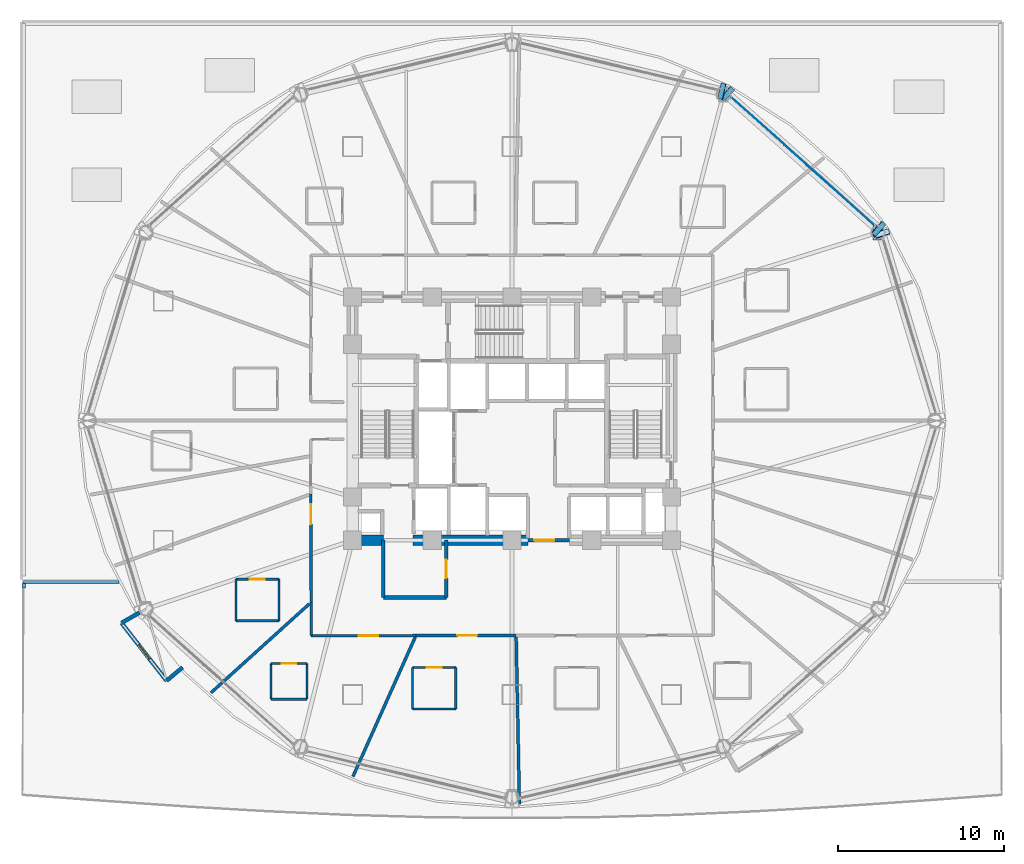
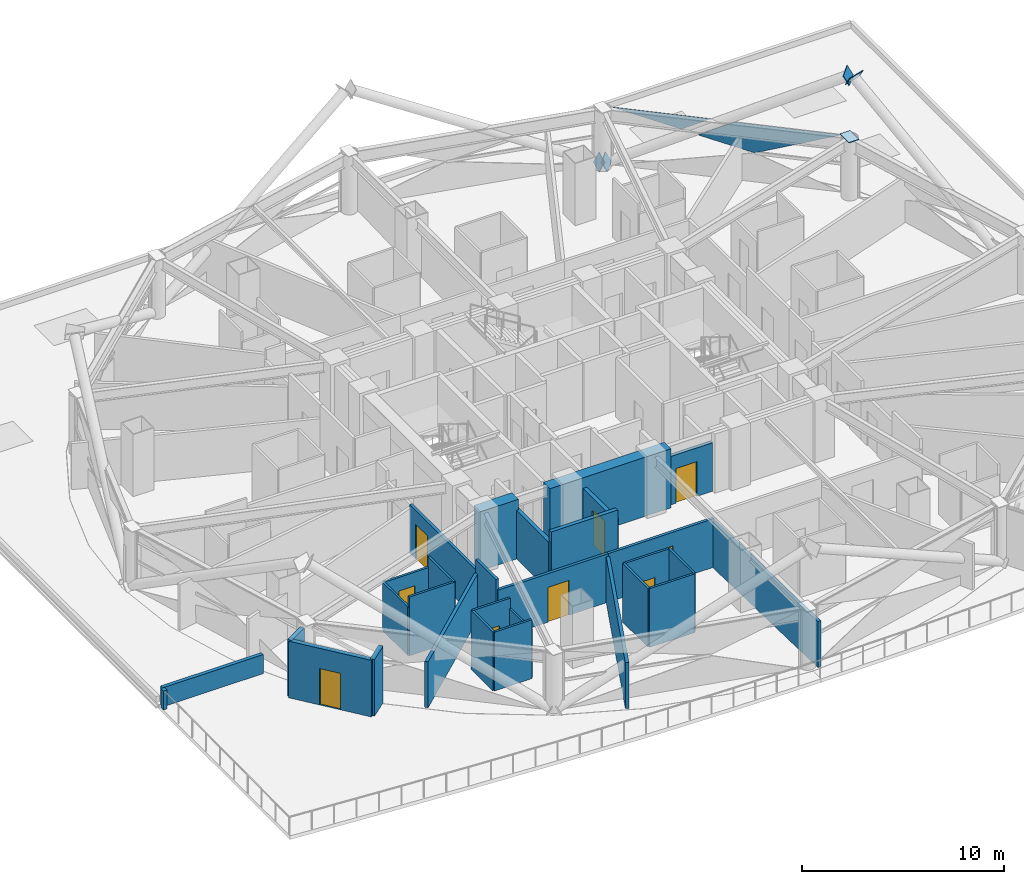
# One storey, part 19 of 27: 30 walls, 9 doors, 7 plates, 9 openings, 1 element without a shape of its own.
"""IFC4 building model written with IfcOpenShell, lengths in metres."""

from ifc_helpers import new_model, si_unit, direction, frame, frame_2d, origin, place, context, subcontext, project, spatial, polyline, rectangle, outline, extrude, material, layer, layer_set, type_object, element, fill, aggregate, save


model = new_model("IFC4")

# Units and contexts
model_context = context("Model", 3, precision=1e-05, world=origin(), true_north=direction((0.0, 1.0)))
body_context = subcontext(model_context, "Body", "Model", "MODEL_VIEW")
ifc_project = project(units=[si_unit("LENGTHUNIT", "METRE"), si_unit("AREAUNIT", "SQUARE_METRE"), si_unit("VOLUMEUNIT", "CUBIC_METRE"), si_unit("PLANEANGLEUNIT", "RADIAN"), si_unit("MASSUNIT", "GRAM", prefix="KILO")], contexts=[model_context])

# Site, building, storey
site_placement = place(None, origin())
site = spatial("IfcSite", under=ifc_project, at=site_placement, CompositionType="ELEMENT")
building_placement = place(site_placement, origin())
building = spatial("IfcBuilding", under=site, at=building_placement, Name="Vantalir Tower", CompositionType="ELEMENT")
storey_placement = place(building_placement, frame((0.0, 0.0, 27.0)))
storey = spatial("IfcBuildingStorey", under=building, at=storey_placement, Name="L05", CompositionType="ELEMENT", Elevation=27.0)

# Curtain wall, plates
ifc_material_1 = material(Name="Champagne-silver PVDF aluminium and double-silver Low-E glass", Category="aluminium")
ifc_layer_1 = layer(ifc_material_1, 0.18994140625)
ifc_layer_set_1 = layer_set([ifc_layer_1], Name="Champagne-silver PVDF aluminium and double-silver Low-E glass")
curtain_wall_type = type_object("IfcCurtainWallType", Name="CW-DIAMOND-Z1", PredefinedType="USERDEFINED", material=ifc_layer_set_1)
curtain_wall_placement = place(storey_placement, origin())
curtain_wall = element("IfcCurtainWall", 1, at=curtain_wall_placement, inside=storey, type_object=curtain_wall_type, Name="L05 Quilted Pyramid-Diamond Curtain Wall S02", ObjectType="UNITISED CURTAIN WALL", PredefinedType="USERDEFINED")
ifc_material_2 = material(Name="Double-silver Low-E laminated glass IGU", Category="glass")
ifc_layer_2 = layer(ifc_material_2, 0.028076171875)
ifc_layer_set_2 = layer_set([ifc_layer_2], Name="Double-silver Low-E laminated glass IGU")
plate_type_1 = type_object("IfcPlateType", Name="CWP-IGU-28", PredefinedType="CURTAIN_PANEL", material=ifc_layer_set_2)
plate_1_placement = place(storey_placement, frame((53.343017578125, 36.749755859375, 3.5234375), z_axis=(0.665300054197, 0.746451395068, 0.013643778309), x_axis=(-0.746520882122, 0.665361986107, 4.2522e-08)))
plate_1 = element("IfcPlate", 2, at=plate_1_placement, type_object=plate_type_1, Name="CW-L05-S02 Pyramid Diamond Facet 2U", PredefinedType="CURTAIN_PANEL", context=body_context, shape_type="SweptSolid", body=[
    extrude(outline(polyline([(0.0, 0.0), (5.444511912943742, 0.0), (7.270924794630395, -1.039892024901801), (4.410488309346775, -1.7269673439427227), (0.0, 0.0)])), origin(), (0.0, 0.0, -1.0), 0.028076171875),
])
plate_2_placement = place(storey_placement, frame((48.409912109375, 41.189453125, 3.52392578125), z_axis=(0.665314594483, 0.746437516961, 0.013693927117), x_axis=(-0.74650796131, 0.665376480862, 4.9170594e-05)))
plate_2 = element("IfcPlate", 3, at=plate_2_placement, type_object=plate_type_1, Name="CW-L05-S02 Pyramid Diamond Facet 2U Infill Light", PredefinedType="CURTAIN_PANEL", context=body_context, shape_type="SweptSolid", body=[
    extrude(outline(polyline([(0.0, 0.0), (4.96517540448994, -2.0599841277224584e-18), (1.4727353693832141, -0.8387741118368344), (0.0, 0.0)])), origin(), (0.0, 0.0, -1.0), 0.028076171875),
])
aggregate(curtain_wall, [plate_1, plate_2])

# Plates
ifc_material_3 = material(Name="Steel S460", Category="steel")
ifc_layer_3 = layer(ifc_material_3, 0.0400390625)
ifc_layer_set_3 = layer_set([ifc_layer_3], Name="Steel S460")
plate_type_2 = type_object("IfcPlateType", Name="PLT-KN-Z1", PredefinedType="USERDEFINED", material=ifc_layer_set_3)
plate_3_placement = place(storey_placement, frame((54.160400390625, 36.56201171875, 6.87744140625), z_axis=(-0.246831821712, 0.821266771081, 0.51438792998), x_axis=(-0.957683979349, -0.287821811947, -1.6312792e-05)))
element("IfcPlate", 4, at=plate_3_placement, inside=storey, type_object=plate_type_2, Name="Node Cap Plate MEM-DG-L05-R01L End", ObjectType="FLANGE_PLATE", PredefinedType="USERDEFINED", context=body_context, shape_type="SweptSolid", body=[
    extrude(outline(polyline([(0.0, 0.0), (0.9501095264682091, 0.0), (0.9498611615437194, 0.620079361363619), (-1.4555359219141373e-05, 0.6200432191104704), (0.0, 0.0)])), origin(), (0.0, 0.0, -1.0), 0.0400390625),
])
plate_4_placement = place(storey_placement, frame((44.091552734375, 45.3349609375, -0.08349609375), z_axis=(-0.854627438222, 0.204117094889, 0.477439162), x_axis=(-0.232303709897, -0.972643298629, 0.0)))
element("IfcPlate", 5, at=plate_4_placement, inside=storey, type_object=plate_type_2, Name="Node Cap Plate MEM-DG-L05-R07L Start", ObjectType="FLANGE_PLATE", PredefinedType="USERDEFINED", context=body_context, shape_type="SweptSolid", body=[
    extrude(outline(polyline([(0.0, 0.0), (0.9500628513325243, 0.0), (0.9501603455328829, 0.6198925105355855), (9.749420035846945e-05, 0.6198925105355855), (0.0, 0.0)])), origin(), (0.0, 0.0, -1.0), 0.0400390625),
])
plate_5_placement = place(storey_placement, frame((44.266357421875, 44.20361328125, -0.07666015625), z_axis=(0.648679774777, -0.578217227371, 0.494852895078), x_axis=(0.665415735381, 0.746472971886, -3.6773048e-05)))
element("IfcPlate", 6, at=plate_5_placement, inside=storey, type_object=plate_type_2, Name="Node Cap Plate MEM-DG-L05-R07R Start", ObjectType="FLANGE_PLATE", PredefinedType="USERDEFINED", context=body_context, shape_type="SweptSolid", body=[
    extrude(outline(polyline([(0.0, 0.0), (0.94983370343164, 5.551115123125783e-17), (0.9499696310599176, 0.6201009243701173), (-4.631674962413417e-05, 0.6200205272126428), (0.0, 0.0)])), origin(), (0.0, 0.0, -1.0), 0.0400390625),
])
plate_6_placement = place(storey_placement, frame((53.381591796875, 36.0791015625, 6.877685546875), z_axis=(0.648699267764, -0.578135078913, 0.494923317831), x_axis=(0.665336277327, 0.746543795147, 0.0)))
element("IfcPlate", 7, at=plate_6_placement, inside=storey, type_object=plate_type_2, Name="Node Cap Plate MEM-DG-L05-R07R End", ObjectType="FLANGE_PLATE", PredefinedType="USERDEFINED", context=body_context, shape_type="SweptSolid", body=[
    extrude(outline(polyline([(0.0, 0.0), (0.9500159538334854, 0.0), (0.9500221024199006, 0.6198083784179331), (6.148586415233304e-06, 0.6198083784179331), (0.0, 0.0)])), origin(), (0.0, 0.0, -1.0), 0.0400390625),
])
ifc_layer_4 = layer(ifc_material_3, 0.035888671875)
ifc_layer_set_4 = layer_set([ifc_layer_4], Name="Steel S460")
plate_type_3 = type_object("IfcPlateType", Name="PLT-KN-Z2", PredefinedType="USERDEFINED", material=ifc_layer_set_4)
plate_7_placement = place(storey_placement, frame((53.25, 36.77197265625, 3.597900390625), z_axis=(0.0, 0.0, 1.0), x_axis=(0.0, -1.0, 0.0)))
element("IfcPlate", 8, at=plate_7_placement, inside=storey, type_object=plate_type_3, Name="L05 Ring Column Top Cap RC02", ObjectType="FLANGE_PLATE", PredefinedType="USERDEFINED", context=body_context, shape_type="SweptSolid", body=[
    extrude(outline(polyline([(0.0, 0.0), (0.8798828125, 0.0), (0.8798828125, 0.580078125), (0.0, 0.580078125), (0.0, 0.0)])), origin(), (0.0, 0.0, -1.0), 0.035888671875),
])

# Wall
ifc_material_4 = material(Name="Moisture-resistant en-suite partition", Category="gypsum")
ifc_layer_5 = layer(ifc_material_4, 0.125)
ifc_layer_set_5 = layer_set([ifc_layer_5], Name="Moisture-resistant en-suite partition")
wall_type_1 = type_object("IfcWallType", Name="WL-BATH-125", PredefinedType="PARTITIONING", material=ifc_layer_set_5)
wall_1_placement = place(storey_placement, frame((14.87109375, 12.950927734375, 0.0), z_axis=(0.0, 0.0, 1.0), x_axis=(1.0, 0.0, 0.0)))
element("IfcWall", 9, at=wall_1_placement, inside=storey, type_object=wall_type_1, Name="L05 En-suite 12 South Wall", PredefinedType="PARTITIONING", context=body_context, shape_type="SweptSolid", body=[
    extrude(rectangle(XDim=2.599853515625, YDim=0.125, at=frame_2d((1.2998046875, 0.0))), origin(), (0.0, 0.0, 1.0), 3.550048828125),
])

# Wall, opening, door
wall_2_placement = place(storey_placement, frame((14.87109375, 15.450927734375, 0.0), z_axis=(0.0, 0.0, 1.0), x_axis=(1.0, 0.0, 0.0)))
wall_2 = element("IfcWall", 10, at=wall_2_placement, inside=storey, type_object=wall_type_1, Name="L05 En-suite 12 North Wall", PredefinedType="PARTITIONING", context=body_context, shape_type="SweptSolid", body=[
    extrude(rectangle(XDim=2.599853515625, YDim=0.125, at=frame_2d((1.2998046875, 0.0))), origin(), (0.0, 0.0, 1.0), 2.928955078125),
])
opening_1_placement = place(wall_2_placement, frame((0.85009765625, 0.0, 0.0)))
opening_1 = element("IfcOpeningElement", 11, at=opening_1_placement, cuts=wall_2, Name="Opening D-WC", PredefinedType="OPENING", context=body_context, shape_type="SweptSolid", body=[
    extrude(rectangle(XDim=0.89990234375, YDim=2.10009765625, at=frame_2d((0.449951171875, 1.050048828125))), frame((0.0, 0.072509765625, 0.0), z_axis=(0.0, -1.0, 0.0), x_axis=(1.0, 0.0, 0.0)), (0.0, 0.0, 1.0), 0.14501953125),
])
ifc_material_5 = material(Name="Moisture-resistant hardwood door", Category="wood")
door_type_1 = type_object("IfcDoorType", Name="DR-ENSUITE-900", OperationType="NOTDEFINED", PredefinedType="DOOR", material=ifc_material_5)
door_1_placement = place(opening_1_placement, frame((0.89990234375, 0.0, 0.0), z_axis=(0.0, 0.0, 1.0), x_axis=(-1.0, 0.0, 0.0)))
door_1 = element("IfcDoor", 12, at=door_1_placement, inside=storey, type_object=door_type_1, Name="L05 En-suite 12 Door", OperationType="SINGLE_SWING_RIGHT", OverallHeight=2.10009765625, OverallWidth=0.89990234375, PredefinedType="DOOR", context=body_context, shape_type="SweptSolid", body=[
    extrude(rectangle(XDim=0.89990234375, YDim=2.10009765625, at=frame_2d((0.449951171875, 1.050048828125))), frame((0.0, 0.02490234375, 0.0), z_axis=(0.0, -1.0, 0.0), x_axis=(1.0, 0.0, 0.0)), (0.0, 0.0, 1.0), 0.050048828125),
])
fill(opening_1, door_1)

# Walls
wall_3_placement = place(storey_placement, frame((14.87109375, 12.950927734375, 0.0), z_axis=(0.0, 0.0, 1.0), x_axis=(0.0, 1.0, 0.0)))
element("IfcWall", 13, at=wall_3_placement, inside=storey, type_object=wall_type_1, Name="L05 En-suite 12 West Wall", PredefinedType="PARTITIONING", context=body_context, shape_type="SweptSolid", body=[
    extrude(rectangle(XDim=2.5, YDim=0.125, at=frame_2d((1.25, 0.0))), origin(), (0.0, 0.0, 1.0), 2.928955078125),
])
wall_4_placement = place(storey_placement, frame((17.470947265625, 12.950927734375, 0.0), z_axis=(0.0, 0.0, 1.0), x_axis=(0.0, 1.0, 0.0)))
element("IfcWall", 14, at=wall_4_placement, inside=storey, type_object=wall_type_1, Name="L05 En-suite 12 East Wall", PredefinedType="PARTITIONING", context=body_context, shape_type="SweptSolid", body=[
    extrude(rectangle(XDim=2.5, YDim=0.125, at=frame_2d((1.25, 0.0))), origin(), (0.0, 0.0, 1.0), 3.550048828125),
])
wall_5_placement = place(storey_placement, frame((16.998046875, 8.22509765625, 0.0), z_axis=(0.0, 0.0, 1.0), x_axis=(1.0, 0.0, 0.0)))
element("IfcWall", 15, at=wall_5_placement, inside=storey, type_object=wall_type_1, Name="L05 En-suite 13 South Wall", PredefinedType="PARTITIONING", context=body_context, shape_type="SweptSolid", body=[
    extrude(rectangle(XDim=2.14990234375, YDim=0.125, at=frame_2d((1.074951171875, 0.0))), origin(), (0.0, 0.0, 1.0), 3.550048828125),
])

# Wall, opening, door
wall_6_placement = place(storey_placement, frame((16.998046875, 10.375, 0.0), z_axis=(0.0, 0.0, 1.0), x_axis=(1.0, 0.0, 0.0)))
wall_6 = element("IfcWall", 16, at=wall_6_placement, inside=storey, type_object=wall_type_1, Name="L05 En-suite 13 North Wall", PredefinedType="PARTITIONING", context=body_context, shape_type="SweptSolid", body=[
    extrude(rectangle(XDim=2.14990234375, YDim=0.125, at=frame_2d((1.074951171875, 0.0))), origin(), (0.0, 0.0, 1.0), 3.550048828125),
])
opening_2_placement = place(wall_6_placement, frame((0.625, 0.0, 0.0)))
opening_2 = element("IfcOpeningElement", 17, at=opening_2_placement, cuts=wall_6, Name="Opening D-WC", PredefinedType="OPENING", context=body_context, shape_type="SweptSolid", body=[
    extrude(rectangle(XDim=0.89990234375, YDim=2.10009765625, at=frame_2d((0.449951171875, 1.050048828125))), frame((0.0, 0.072509765625, 0.0), z_axis=(0.0, -1.0, 0.0), x_axis=(1.0, 0.0, 0.0)), (0.0, 0.0, 1.0), 0.14501953125),
])
door_2_placement = place(opening_2_placement, frame((0.89990234375, 0.0, 0.0), z_axis=(0.0, 0.0, 1.0), x_axis=(-1.0, 0.0, 0.0)))
door_2 = element("IfcDoor", 18, at=door_2_placement, inside=storey, type_object=door_type_1, Name="L05 En-suite 13 Door", OperationType="SINGLE_SWING_LEFT", OverallHeight=2.10009765625, OverallWidth=0.89990234375, PredefinedType="DOOR", context=body_context, shape_type="SweptSolid", body=[
    extrude(rectangle(XDim=0.89990234375, YDim=2.10009765625, at=frame_2d((0.449951171875, 1.050048828125))), frame((0.0, 0.02490234375, 0.0), z_axis=(0.0, -1.0, 0.0), x_axis=(1.0, 0.0, 0.0)), (0.0, 0.0, 1.0), 0.050048828125),
])
fill(opening_2, door_2)

# Walls
wall_7_placement = place(storey_placement, frame((16.998046875, 8.22509765625, 0.0), z_axis=(0.0, 0.0, 1.0), x_axis=(0.0, 1.0, 0.0)))
element("IfcWall", 19, at=wall_7_placement, inside=storey, type_object=wall_type_1, Name="L05 En-suite 13 West Wall", PredefinedType="PARTITIONING", context=body_context, shape_type="SweptSolid", body=[
    extrude(rectangle(XDim=2.14990234375, YDim=0.125, at=frame_2d((1.074951171875, 0.0))), origin(), (0.0, 0.0, 1.0), 3.550048828125),
])
wall_8_placement = place(storey_placement, frame((19.14794921875, 8.22509765625, 0.0), z_axis=(0.0, 0.0, 1.0), x_axis=(0.0, 1.0, 0.0)))
element("IfcWall", 20, at=wall_8_placement, inside=storey, type_object=wall_type_1, Name="L05 En-suite 13 East Wall", PredefinedType="PARTITIONING", context=body_context, shape_type="SweptSolid", body=[
    extrude(rectangle(XDim=2.14990234375, YDim=0.125, at=frame_2d((1.074951171875, 0.0))), origin(), (0.0, 0.0, 1.0), 2.928955078125),
])
wall_9_placement = place(storey_placement, frame((25.514892578125, 7.635009765625, 0.0), z_axis=(0.0, 0.0, 1.0), x_axis=(1.0, 0.0, 0.0)))
element("IfcWall", 21, at=wall_9_placement, inside=storey, type_object=wall_type_1, Name="L05 En-suite 14 South Wall", PredefinedType="PARTITIONING", context=body_context, shape_type="SweptSolid", body=[
    extrude(rectangle(XDim=2.60009765625, YDim=0.125, at=frame_2d((1.300048828125, 0.0))), origin(), (0.0, 0.0, 1.0), 3.550048828125),
])

# Wall, opening, door
wall_10_placement = place(storey_placement, frame((25.514892578125, 10.135009765625, 0.0), z_axis=(0.0, 0.0, 1.0), x_axis=(1.0, 0.0, 0.0)))
wall_10 = element("IfcWall", 22, at=wall_10_placement, inside=storey, type_object=wall_type_1, Name="L05 En-suite 14 North Wall", PredefinedType="PARTITIONING", context=body_context, shape_type="SweptSolid", body=[
    extrude(rectangle(XDim=2.60009765625, YDim=0.125, at=frame_2d((1.300048828125, 0.0))), origin(), (0.0, 0.0, 1.0), 3.550048828125),
])
opening_3_placement = place(wall_10_placement, frame((0.85009765625, 0.0, 0.0)))
opening_3 = element("IfcOpeningElement", 23, at=opening_3_placement, cuts=wall_10, Name="Opening D-WC", PredefinedType="OPENING", context=body_context, shape_type="SweptSolid", body=[
    extrude(rectangle(XDim=0.89990234375, YDim=2.10009765625, at=frame_2d((0.449951171875, 1.050048828125))), frame((0.0, 0.072509765625, 0.0), z_axis=(0.0, -1.0, 0.0), x_axis=(1.0, 0.0, 0.0)), (0.0, 0.0, 1.0), 0.14501953125),
])
door_3_placement = place(opening_3_placement, frame((0.89990234375, 0.0, 0.0), z_axis=(0.0, 0.0, 1.0), x_axis=(-1.0, 0.0, 0.0)))
door_3 = element("IfcDoor", 24, at=door_3_placement, inside=storey, type_object=door_type_1, Name="L05 En-suite 14 Door", OperationType="SINGLE_SWING_RIGHT", OverallHeight=2.10009765625, OverallWidth=0.89990234375, PredefinedType="DOOR", context=body_context, shape_type="SweptSolid", body=[
    extrude(rectangle(XDim=0.89990234375, YDim=2.10009765625, at=frame_2d((0.449951171875, 1.050048828125))), frame((0.0, 0.02490234375, 0.0), z_axis=(0.0, -1.0, 0.0), x_axis=(1.0, 0.0, 0.0)), (0.0, 0.0, 1.0), 0.050048828125),
])
fill(opening_3, door_3)

# Walls
for number, where, z_axis, x_axis, name in (
    (25, (25.514892578125, 7.635009765625, 0.0), (0.0, 0.0, 1.0), (0.0, 1.0, 0.0), "L05 En-suite 14 West Wall"),
    (26, (28.114990234375, 7.635009765625, 0.0), (0.0, 0.0, 1.0), (0.0, 1.0, 0.0), "L05 En-suite 14 East Wall"),
):
    element("IfcWall", number, at=place(storey_placement, frame(where, z_axis=z_axis, x_axis=x_axis)), inside=storey, type_object=wall_type_1, Name=name, PredefinedType="PARTITIONING", context=body_context, shape_type="SweptSolid", body=[
        extrude(rectangle(XDim=2.5, YDim=0.125, at=frame_2d((1.25, 0.0))), origin(), (0.0, 0.0, 1.0), 3.550048828125),
    ])
ifc_material_6 = material(Name="Concrete C60/75", Category="concrete")
ifc_layer_6 = layer(ifc_material_6, 0.64990234375)
ifc_layer_set_6 = layer_set([ifc_layer_6], Name="Concrete C60/75")
wall_type_2 = type_object("IfcWallType", Name="WL-CORE-650", PredefinedType="SHEAR", material=ifc_layer_set_6)
wall_11_placement = place(storey_placement, frame((21.574951171875, 17.800048828125, 0.0), z_axis=(0.0, 0.0, 1.0), x_axis=(1.0, 0.0, 0.0)))
element("IfcWall", 27, at=wall_11_placement, inside=storey, type_object=wall_type_2, Name="L05 Core Shear Wall South-West", PredefinedType="SHEAR", context=body_context, shape_type="SweptSolid", body=[
    extrude(rectangle(XDim=2.175048828125, YDim=0.64990234375, at=frame_2d((1.08740234375, 0.0))), origin(), (0.0, 0.0, 1.0), 3.570068359375),
])
wall_12_placement = place(storey_placement, frame((25.550048828125, 17.800048828125, 0.0), z_axis=(0.0, 0.0, 1.0), x_axis=(1.0, 0.0, 0.0)))
element("IfcWall", 28, at=wall_12_placement, inside=storey, type_object=wall_type_2, Name="L05 Core Shear Wall South-Mid", PredefinedType="SHEAR", context=body_context, shape_type="SweptSolid", body=[
    extrude(rectangle(XDim=6.89990234375, YDim=0.64990234375, at=frame_2d((3.449951171875, 0.0))), origin(), (0.0, 0.0, 1.0), 3.570068359375),
])

# Wall, opening, door
ifc_material_7 = material(Name="Fire-rated hotel corridor acoustic partition", Category="gypsum")
ifc_layer_7 = layer(ifc_material_7, 0.159912109375)
ifc_layer_set_7 = layer_set([ifc_layer_7], Name="Fire-rated hotel corridor acoustic partition")
wall_type_3 = type_object("IfcWallType", Name="WL-CORR-160", PredefinedType="PARTITIONING", material=ifc_layer_set_7)
wall_13_placement = place(storey_placement, frame((31.75, 12.06298828125, 0.0), z_axis=(0.0, 0.0, 1.0), x_axis=(-0.99999979045, -0.000647379998, 0.0)))
wall_13 = element("IfcWall", 29, at=wall_13_placement, inside=storey, type_object=wall_type_3, Name="L05 Corridor Partition 19", PredefinedType="PARTITIONING", context=body_context, shape_type="SweptSolid", body=[
    extrude(rectangle(XDim=6.033935546875, YDim=0.159912109375, at=frame_2d((3.01708984375, 0.0))), origin(), (0.0, 0.0, 1.0), 2.928955078125),
])
opening_4_placement = place(wall_13_placement, frame((2.343994140625, 0.0, 0.0)))
opening_4 = element("IfcOpeningElement", 30, at=opening_4_placement, cuts=wall_13, Name="Opening D-STE", PredefinedType="OPENING", context=body_context, shape_type="SweptSolid", body=[
    extrude(rectangle(XDim=1.199951171875, YDim=2.10009765625, at=frame_2d((0.60009765625, 1.050048828125))), frame((0.0, 0.08984375, 0.0), z_axis=(0.0, -1.0, 0.0), x_axis=(1.0, 0.0, 0.0)), (0.0, 0.0, 1.0), 0.179931640625),
])
ifc_material_8 = material(Name="Solid-core teak veneer suite entrance door", Category="wood")
door_type_2 = type_object("IfcDoorType", Name="DR-SUITE-ENTRY-1200", OperationType="NOTDEFINED", PredefinedType="DOOR", material=ifc_material_8)
door_4_placement = place(opening_4_placement, origin())
door_4 = element("IfcDoor", 31, at=door_4_placement, inside=storey, type_object=door_type_2, Name="L05 Executive Club Hotel Suite 14 Door", OperationType="SINGLE_SWING_RIGHT", OverallHeight=2.10009765625, OverallWidth=1.199951171875, PredefinedType="DOOR", context=body_context, shape_type="SweptSolid", body=[
    extrude(rectangle(XDim=1.199951171875, YDim=2.10009765625, at=frame_2d((0.60009765625, 1.050048828125))), frame((0.0, 0.02490234375, 0.0), z_axis=(0.0, -1.0, 0.0), x_axis=(1.0, 0.0, 0.0)), (0.0, 0.0, 1.0), 0.050048828125),
])
fill(opening_4, door_4)

wall_14_placement = place(storey_placement, frame((25.716064453125, 12.05908203125, 0.0), z_axis=(0.0, 0.0, 1.0), x_axis=(-0.999999783688, -0.000657741868, 0.0)))
wall_14 = element("IfcWall", 32, at=wall_14_placement, inside=storey, type_object=wall_type_3, Name="L05 Corridor Partition 20", PredefinedType="PARTITIONING", context=body_context, shape_type="SweptSolid", body=[
    extrude(rectangle(XDim=6.31005859375, YDim=0.159912109375, at=frame_2d((3.155029296875, 0.0))), origin(), (0.0, 0.0, 1.0), 2.928955078125),
])
opening_5_placement = place(wall_14_placement, frame((2.256103515625, 0.0, 0.0)))
opening_5 = element("IfcOpeningElement", 33, at=opening_5_placement, cuts=wall_14, Name="Opening D-STE", PredefinedType="OPENING", context=body_context, shape_type="SweptSolid", body=[
    extrude(rectangle(XDim=1.199951171875, YDim=2.10009765625, at=frame_2d((0.60009765625, 1.050048828125))), frame((0.0, 0.08984375, 0.0), z_axis=(0.0, -1.0, 0.0), x_axis=(1.0, 0.0, 0.0)), (0.0, 0.0, 1.0), 0.179931640625),
])
door_5_placement = place(opening_5_placement, origin())
door_5 = element("IfcDoor", 34, at=door_5_placement, inside=storey, type_object=door_type_2, Name="L05 Corner Panorama Hotel Suite 13 Door", OperationType="SINGLE_SWING_LEFT", OverallHeight=2.10009765625, OverallWidth=1.199951171875, PredefinedType="DOOR", context=body_context, shape_type="SweptSolid", body=[
    extrude(rectangle(XDim=1.199951171875, YDim=2.10009765625, at=frame_2d((0.60009765625, 1.050048828125))), frame((0.0, 0.02490234375, 0.0), z_axis=(0.0, -1.0, 0.0), x_axis=(1.0, 0.0, 0.0)), (0.0, 0.0, 1.0), 0.050048828125),
])
fill(opening_5, door_5)

# Wall
wall_15_placement = place(storey_placement, frame((19.406005859375, 12.054931640625, 0.0), z_axis=(0.0, 0.0, 1.0), x_axis=(-0.00145754734, 0.999998937777, 0.0)))
element("IfcWall", 35, at=wall_15_placement, inside=storey, type_object=wall_type_3, Name="L05 Corridor Partition 21", PredefinedType="PARTITIONING", context=body_context, shape_type="SweptSolid", body=[
    extrude(rectangle(XDim=2.010009765625, YDim=0.159912109375, at=frame_2d((1.0048828125, 0.0))), origin(), (0.0, 0.0, 1.0), 3.550048828125),
])

# Wall, opening, door
wall_16_placement = place(storey_placement, frame((19.403076171875, 14.06494140625, 0.0), z_axis=(0.0, 0.0, 1.0), x_axis=(-0.001836785146, 0.999998313109, 0.0)))
wall_16 = element("IfcWall", 36, at=wall_16_placement, inside=storey, type_object=wall_type_3, Name="L05 Corridor Partition 22", PredefinedType="PARTITIONING", context=body_context, shape_type="SweptSolid", body=[
    extrude(rectangle(XDim=6.512939453125, YDim=0.159912109375, at=frame_2d((3.25634765625, 0.0))), origin(), (0.0, 0.0, 1.0), 2.928955078125),
])
opening_6_placement = place(wall_16_placement, frame((4.7119140625, 0.0, 0.0)))
opening_6 = element("IfcOpeningElement", 37, at=opening_6_placement, cuts=wall_16, Name="Opening D-STE", PredefinedType="OPENING", context=body_context, shape_type="SweptSolid", body=[
    extrude(rectangle(XDim=1.199951171875, YDim=2.10009765625, at=frame_2d((0.60009765625, 1.050048828125))), frame((0.0, 0.08984375, 0.0), z_axis=(0.0, -1.0, 0.0), x_axis=(1.0, 0.0, 0.0)), (0.0, 0.0, 1.0), 0.179931640625),
])
door_6_placement = place(opening_6_placement, origin())
door_6 = element("IfcDoor", 38, at=door_6_placement, inside=storey, type_object=door_type_2, Name="L05 Executive Club Hotel Suite 12 Door", OperationType="SINGLE_SWING_RIGHT", OverallHeight=2.10009765625, OverallWidth=1.199951171875, PredefinedType="DOOR", context=body_context, shape_type="SweptSolid", body=[
    extrude(rectangle(XDim=1.199951171875, YDim=2.10009765625, at=frame_2d((0.60009765625, 1.050048828125))), frame((0.0, 0.02490234375, 0.0), z_axis=(0.0, -1.0, 0.0), x_axis=(1.0, 0.0, 0.0)), (0.0, 0.0, 1.0), 0.050048828125),
])
fill(opening_6, door_6)

# Walls
ifc_material_9 = material(Name="Precast concrete C40/50 insulated sky-garden wall", Category="concrete")
ifc_layer_8 = layer(ifc_material_9, 0.239990234375)
ifc_layer_set_8 = layer_set([ifc_layer_8], Name="Precast concrete C40/50 insulated sky-garden wall")
wall_type_4 = type_object("IfcWallType", Name="WL-EXT-SG-240", PredefinedType="SOLIDWALL", material=ifc_layer_set_8)
wall_17_placement = place(storey_placement, frame((9.070068359375, 13.443115234375, 0.0), z_axis=(0.0, 0.0, 1.0), x_axis=(-0.866120568253, -0.499835134068, 0.0)))
element("IfcWall", 39, at=wall_17_placement, inside=storey, type_object=wall_type_4, Name="L05 Podium Garden Vestibule Cheek SWA", PredefinedType="SOLIDWALL", context=body_context, shape_type="SweptSolid", body=[
    extrude(rectangle(XDim=1.25048828125, YDim=0.239990234375, at=frame_2d((0.625244140625, 0.0))), origin(), (0.0, 0.0, 1.0), 3.419921875),
])
wall_18_placement = place(storey_placement, frame((10.701904296875, 9.339111328125, 0.0), z_axis=(0.0, 0.0, 1.0), x_axis=(0.765685624826, 0.643214990447, 0.0)))
element("IfcWall", 40, at=wall_18_placement, inside=storey, type_object=wall_type_4, Name="L05 Podium Garden Vestibule Cheek SWB", PredefinedType="SOLIDWALL", context=body_context, shape_type="SweptSolid", body=[
    extrude(rectangle(XDim=1.25, YDim=0.239990234375, at=frame_2d((0.625, 0.0))), origin(), (0.0, 0.0, 1.0), 3.419921875),
])

# Wall, opening, door
wall_19_placement = place(storey_placement, frame((7.987060546875, 12.818115234375, 0.0), z_axis=(0.0, 0.0, 1.0), x_axis=(0.615203768893, -0.788368139095, 0.0)))
wall_19 = element("IfcWall", 41, at=wall_19_placement, inside=storey, type_object=wall_type_4, Name="L05 Podium Garden Vestibule Front SW", PredefinedType="SOLIDWALL", context=body_context, shape_type="SweptSolid", body=[
    extrude(rectangle(XDim=4.412841796875, YDim=0.239990234375, at=frame_2d((2.20654296875, 0.0))), origin(), (0.0, 0.0, 1.0), 3.419921875),
])
opening_7_placement = place(wall_19_placement, frame((1.656982421875, 0.0, 0.0)))
opening_7 = element("IfcOpeningElement", 42, at=opening_7_placement, cuts=wall_19, Name="Opening D-TR", PredefinedType="OPENING", context=body_context, shape_type="SweptSolid", body=[
    extrude(rectangle(XDim=1.10009765625, YDim=2.199951171875, at=frame_2d((0.550048828125, 1.10009765625))), frame((0.0, 0.1298828125, 0.0), z_axis=(0.0, -1.0, 0.0), x_axis=(1.0, 0.0, 0.0)), (0.0, 0.0, 1.0), 0.260009765625),
])
ifc_material_10 = material(Name="Thermally broken Low-E glazed terrace door", Category="steel")
door_type_3 = type_object("IfcDoorType", Name="DR-EXT-TERR-1100", OperationType="NOTDEFINED", PredefinedType="DOOR", material=ifc_material_10)
door_7_placement = place(opening_7_placement, frame((1.10009765625, 0.0, 0.0), z_axis=(0.0, 0.0, 1.0), x_axis=(-1.0, 0.0, 0.0)))
door_7 = element("IfcDoor", 43, at=door_7_placement, inside=storey, type_object=door_type_3, Name="L05 Podium Roof Garden Terrace Door SW", OperationType="SINGLE_SWING_LEFT", OverallHeight=2.199951171875, OverallWidth=1.10009765625, PredefinedType="DOOR", context=body_context, shape_type="SweptSolid", body=[
    extrude(rectangle(XDim=1.10009765625, YDim=2.199951171875, at=frame_2d((0.550048828125, 1.10009765625))), frame((0.0, 0.02490234375, 0.0), z_axis=(0.0, -1.0, 0.0), x_axis=(1.0, 0.0, 0.0)), (0.0, 0.0, 1.0), 0.050048828125),
])
fill(opening_7, door_7)

ifc_material_11 = material(Name="Concrete blockwork with fireboard lining", Category="masonry")
ifc_layer_9 = layer(ifc_material_11, 0.219970703125)
ifc_layer_set_9 = layer_set([ifc_layer_9], Name="Concrete blockwork with fireboard lining")
wall_type_5 = type_object("IfcWallType", Name="WL-FFL-220", PredefinedType="PARTITIONING", material=ifc_layer_set_9)
wall_20_placement = place(storey_placement, frame((32.449951171875, 17.800048828125, 0.0), z_axis=(0.0, 0.0, 1.0), x_axis=(1.0, 0.0, 0.0)))
wall_20 = element("IfcWall", 44, at=wall_20_placement, inside=storey, type_object=wall_type_5, Name="L05 Passenger Lift Lobby South Wall", PredefinedType="PARTITIONING", context=body_context, shape_type="SweptSolid", body=[
    extrude(rectangle(XDim=2.5, YDim=0.219970703125, at=frame_2d((1.25, 0.0))), origin(), (0.0, 0.0, 1.0), 2.928955078125),
])
opening_8_placement = place(wall_20_placement, frame((0.39990234375, 0.0, 0.0)))
opening_8 = element("IfcOpeningElement", 45, at=opening_8_placement, cuts=wall_20, Name="Opening D-STE", PredefinedType="OPENING", context=body_context, shape_type="SweptSolid", body=[
    extrude(rectangle(XDim=1.199951171875, YDim=2.10009765625, at=frame_2d((0.60009765625, 1.050048828125))), frame((0.0, 0.119873046875, 0.0), z_axis=(0.0, -1.0, 0.0), x_axis=(1.0, 0.0, 0.0)), (0.0, 0.0, 1.0), 0.239990234375),
])
door_8_placement = place(opening_8_placement, origin())
door_8 = element("IfcDoor", 46, at=door_8_placement, inside=storey, type_object=door_type_2, Name="L05 Passenger Lift Lobby Concourse Door", OperationType="SINGLE_SWING_RIGHT", OverallHeight=2.10009765625, OverallWidth=1.199951171875, PredefinedType="DOOR", context=body_context, shape_type="SweptSolid", body=[
    extrude(rectangle(XDim=1.199951171875, YDim=2.10009765625, at=frame_2d((0.60009765625, 1.050048828125))), frame((0.0, 0.02490234375, 0.0), z_axis=(0.0, -1.0, 0.0), x_axis=(1.0, 0.0, 0.0)), (0.0, 0.0, 1.0), 0.050048828125),
])
fill(opening_8, door_8)

# Walls
wall_21_placement = place(storey_placement, frame((23.75, 14.35009765625, 0.0), z_axis=(0.0, 0.0, 1.0), x_axis=(0.0, 1.0, 0.0)))
element("IfcWall", 47, at=wall_21_placement, inside=storey, type_object=wall_type_5, Name="L05 Firefighting Lobby West Outer W", PredefinedType="PARTITIONING", context=body_context, shape_type="SweptSolid", body=[
    extrude(rectangle(XDim=3.449951171875, YDim=0.219970703125, at=frame_2d((1.72509765625, 0.0))), origin(), (0.0, 0.0, 1.0), 2.928955078125),
])
wall_22_placement = place(storey_placement, frame((23.75, 14.35009765625, 0.0), z_axis=(0.0, 0.0, 1.0), x_axis=(1.0, 0.0, 0.0)))
element("IfcWall", 48, at=wall_22_placement, inside=storey, type_object=wall_type_5, Name="L05 Firefighting Lobby West South Wall", PredefinedType="PARTITIONING", context=body_context, shape_type="SweptSolid", body=[
    extrude(rectangle(XDim=3.800048828125, YDim=0.219970703125, at=frame_2d((1.89990234375, 0.0))), origin(), (0.0, 0.0, 1.0), 3.550048828125),
])

# Wall, opening, door
wall_23_placement = place(storey_placement, frame((27.550048828125, 14.35009765625, 0.0), z_axis=(0.0, 0.0, 1.0), x_axis=(0.0, 1.0, 0.0)))
wall_23 = element("IfcWall", 49, at=wall_23_placement, inside=storey, type_object=wall_type_5, Name="L05 Firefighting Lobby West East Wall", PredefinedType="PARTITIONING", context=body_context, shape_type="SweptSolid", body=[
    extrude(rectangle(XDim=3.449951171875, YDim=0.219970703125, at=frame_2d((1.72509765625, 0.0))), origin(), (0.0, 0.0, 1.0), 2.928955078125),
])
opening_9_placement = place(wall_23_placement, frame((1.175048828125, 0.0, 0.0)))
opening_9 = element("IfcOpeningElement", 50, at=opening_9_placement, cuts=wall_23, Name="Opening D-FFL", PredefinedType="OPENING", context=body_context, shape_type="SweptSolid", body=[
    extrude(rectangle(XDim=1.10009765625, YDim=2.10009765625, at=frame_2d((0.550048828125, 1.050048828125))), frame((0.0, 0.119873046875, 0.0), z_axis=(0.0, -1.0, 0.0), x_axis=(1.0, 0.0, 0.0)), (0.0, 0.0, 1.0), 0.239990234375),
])
ifc_material_12 = material(Name="Fire-rated acoustic steel door", Category="steel")
door_type_4 = type_object("IfcDoorType", Name="DR-FIRE-LOBBY-1100", OperationType="NOTDEFINED", PredefinedType="DOOR", material=ifc_material_12)
door_9_placement = place(opening_9_placement, origin())
door_9 = element("IfcDoor", 51, at=door_9_placement, inside=storey, type_object=door_type_4, Name="L05 Firefighting Lobby West Access Door", OperationType="SINGLE_SWING_RIGHT", OverallHeight=2.10009765625, OverallWidth=1.10009765625, PredefinedType="DOOR", context=body_context, shape_type="SweptSolid", body=[
    extrude(rectangle(XDim=1.10009765625, YDim=2.10009765625, at=frame_2d((0.550048828125, 1.050048828125))), frame((0.0, 0.02490234375, 0.0), z_axis=(0.0, -1.0, 0.0), x_axis=(1.0, 0.0, 0.0)), (0.0, 0.0, 1.0), 0.050048828125),
])
fill(opening_9, door_9)

# Walls
ifc_material_13 = material(Name="Twin-stud acoustic fire-rated gypsum partition", Category="gypsum")
ifc_layer_10 = layer(ifc_material_13, 0.179931640625)
ifc_layer_set_10 = layer_set([ifc_layer_10], Name="Twin-stud acoustic fire-rated gypsum partition")
wall_type_6 = type_object("IfcWallType", Name="WL-GUEST-180", PredefinedType="PARTITIONING", material=ifc_layer_set_10)
wall_24_placement = place(storey_placement, frame((19.31005859375, 13.98095703125, 0.0), z_axis=(0.0, 0.0, 1.0), x_axis=(-0.741824064111, -0.670594555529, 0.0)))
element("IfcWall", 52, at=wall_24_placement, inside=storey, type_object=wall_type_6, Name="L05 Radial Suite Partition 13", PredefinedType="PARTITIONING", context=body_context, shape_type="SweptSolid", body=[
    extrude(rectangle(XDim=8.003173828125, YDim=0.179931640625, at=frame_2d((4.00146484375, 0.0))), origin(), (0.0, 0.0, 1.0), 2.77490234375),
])
wall_25_placement = place(storey_placement, frame((25.677978515625, 11.97509765625, 0.0), z_axis=(0.0, 0.0, 1.0), x_axis=(-0.408029036582, -0.912968950899, 0.0)))
element("IfcWall", 53, at=wall_25_placement, inside=storey, type_object=wall_type_6, Name="L05 Radial Suite Partition 14", PredefinedType="PARTITIONING", context=body_context, shape_type="SweptSolid", body=[
    extrude(rectangle(XDim=9.19775390625, YDim=0.179931640625, at=frame_2d((4.598876953125, 0.0))), origin(), (0.0, 0.0, 1.0), 2.77490234375),
])
wall_26_placement = place(storey_placement, frame((31.7509765625, 11.97509765625, 0.0), z_axis=(0.0, 0.0, 1.0), x_axis=(0.019398029736, -0.999811840519, 0.0)))
element("IfcWall", 54, at=wall_26_placement, inside=storey, type_object=wall_type_6, Name="L05 Radial Suite Partition 15", PredefinedType="PARTITIONING", context=body_context, shape_type="SweptSolid", body=[
    extrude(rectangle(XDim=10.05615234375, YDim=0.179931640625, at=frame_2d((5.028076171875, 0.0))), origin(), (0.0, 0.0, 1.0), 2.77490234375),
])
ifc_material_14 = material(Name="Concrete C40/50 parapet upstand", Category="concrete")
ifc_layer_11 = layer(ifc_material_14, 0.199951171875)
ifc_layer_set_11 = layer_set([ifc_layer_11], Name="Concrete C40/50 parapet upstand")
wall_type_7 = type_object("IfcWallType", Name="WL-PARA-200", PredefinedType="PARAPET", material=ifc_layer_set_11)
wall_27_placement = place(storey_placement, frame((7.85009765625, 15.280029296875, 0.0), z_axis=(0.0, 0.0, 1.0), x_axis=(-1.0, 0.0, 0.0)))
element("IfcWall", 55, at=wall_27_placement, inside=storey, type_object=wall_type_7, Name="L05 South Terrace Divider Parapet West", PredefinedType="PARAPET", context=body_context, shape_type="SweptSolid", body=[
    extrude(rectangle(XDim=5.75, YDim=0.199951171875, at=frame_2d((2.875, 0.0))), origin(), (0.0, 0.0, 1.0), 1.14990234375),
])
wall_28_placement = place(storey_placement, frame((2.10009765625, 15.179931640625, 0.0), z_axis=(0.0, 0.0, 1.0), x_axis=(0.0, -1.0, 0.0)))
element("IfcWall", 56, at=wall_28_placement, inside=storey, type_object=wall_type_7, Name="L05 South Terrace West Cheek Parapet", PredefinedType="PARAPET", context=body_context, shape_type="SweptSolid", body=[
    extrude(rectangle(XDim=0.260009765625, YDim=0.199951171875, at=frame_2d((0.1298828125, 0.0))), origin(), (0.0, 0.0, 1.0), 1.14990234375),
])

save(model, "model.ifc")
